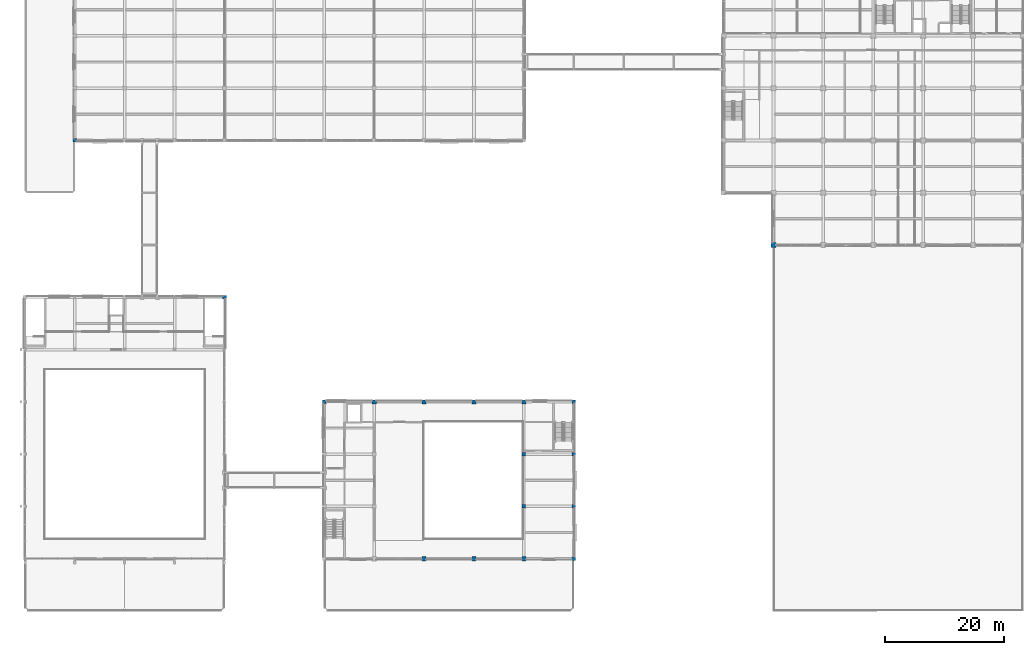
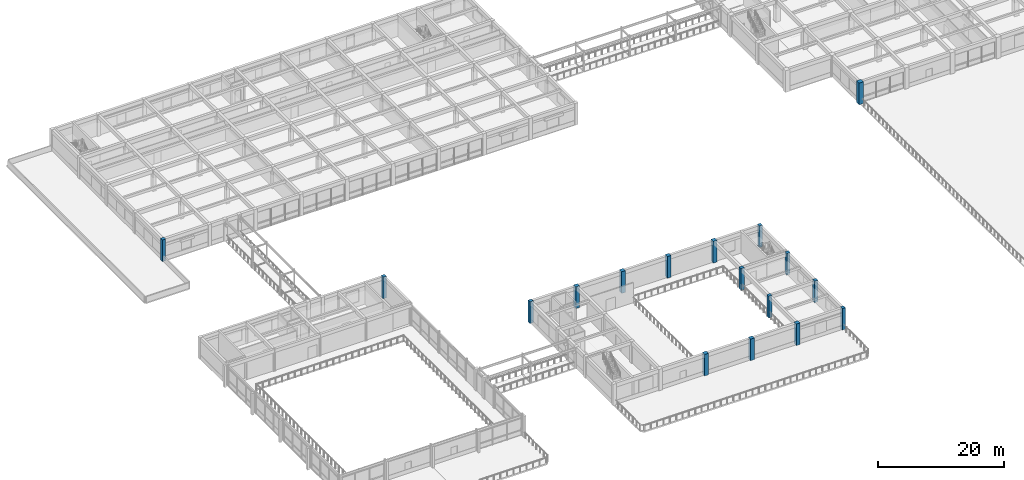
# One storey, part 5 of 57: 17 columns.
"""IFC4 building model written with IfcOpenShell, lengths in metres."""

import ifcopenshell
import ifcopenshell.guid

model = None  # the IFC model being written
_history = None  # IfcOwnerHistory: only IFC2X3 demands one
_inside = {}  # id of a spatial element -> (the spatial element, [elements in it])
_under = {}  # id of a project, library or spatial element -> (it, [spatial elements below it])
_declared = {}  # id of a project -> (the project, [libraries it declares])
_typed = {}  # id of a type object -> (the type object, [elements of that type])
_made_of = {}  # id of a material, layer set ... -> (it, [elements and type objects made of it])


def new_model(schema):
    """Start an empty IFC model of exactly this schema.

    Asked for "IFC4X3", IfcOpenShell would pick the latest addendum, in which some entities
    have other attributes; the version numbers below select the first issue.
    IFC2X3 requires an IfcOwnerHistory on every rooted entity: one is made here for all.
    """
    global model, _history
    if schema == "IFC4X3":
        model = ifcopenshell.file(schema_version=(4, 3, 0, 0))
    else:
        model = ifcopenshell.file(schema=schema)
    _inside.clear()
    _under.clear()
    _declared.clear()
    _typed.clear()
    _made_of.clear()
    _history = None
    if model.schema == "IFC2X3":
        org = make("IfcOrganization", Name="unknown")
        user = make(
            "IfcPersonAndOrganization",
            ThePerson=make("IfcPerson", FamilyName="unknown"),
            TheOrganization=org,
        )
        app = make(
            "IfcApplication",
            ApplicationDeveloper=org,
            Version="unknown",
            ApplicationFullName="unknown",
            ApplicationIdentifier="unknown",
        )
        _history = make(
            "IfcOwnerHistory",
            OwningUser=user,
            OwningApplication=app,
            ChangeAction="ADDED",
            CreationDate=0,
        )
    return model


def make(cls, **values):
    """One entity of the class cls with the attributes given. An attribute that is None is left unset."""
    return model.create_entity(
        cls, **{name: value for name, value in values.items() if value is not None}
    )


def rooted(cls, **values):
    """An entity with a GlobalId (a new one), such as an element, a storey or a relation."""
    return make(cls, GlobalId=ifcopenshell.guid.new(), OwnerHistory=_history, **values)


def si_unit(unit_type, name, prefix=None):
    """IfcSIUnit, for example si_unit("LENGTHUNIT", "METRE", prefix="MILLI")."""
    return make("IfcSIUnit", UnitType=unit_type, Prefix=prefix, Name=name)


def assignment(units):
    """IfcUnitAssignment: the units of a project."""
    return None if units is None else make("IfcUnitAssignment", Units=units)


def point(xyz):
    """IfcCartesianPoint."""
    return None if xyz is None else make("IfcCartesianPoint", Coordinates=xyz)


def direction(xyz):
    """IfcDirection."""
    return None if xyz is None else make("IfcDirection", DirectionRatios=xyz)


def frame(location, z_axis=None, x_axis=None):
    """IfcAxis2Placement3D, a coordinate frame: its origin and axes. An axis left out is left unset."""
    return make(
        "IfcAxis2Placement3D",
        Location=point(location),
        Axis=direction(z_axis),
        RefDirection=direction(x_axis),
    )


def frame_2d(location, x_axis=None):
    """IfcAxis2Placement2D, a coordinate frame in the plane: its origin and x axis."""
    return make(
        "IfcAxis2Placement2D", Location=point(location), RefDirection=direction(x_axis)
    )


def origin():
    """The frame at (0, 0, 0) with its axes left unset."""
    return frame((0.0, 0.0, 0.0))


def origin_2d():
    """The frame at (0, 0) in the plane with its x axis left unset."""
    return frame_2d((0.0, 0.0))


def place(relative_to, where):
    """IfcLocalPlacement: puts the frame where relative to a parent placement (None: the world)."""
    return make(
        "IfcLocalPlacement", PlacementRelTo=relative_to, RelativePlacement=where
    )


def context(
    kind, dimensions, precision=None, world=None, true_north=None, identifier=None
):
    """IfcGeometricRepresentationContext, for example the 3D "Model" context."""
    return make(
        "IfcGeometricRepresentationContext",
        ContextIdentifier=identifier,
        ContextType=kind,
        CoordinateSpaceDimension=dimensions,
        Precision=precision,
        WorldCoordinateSystem=world,
        TrueNorth=true_north,
    )


def subcontext(parent, identifier, kind, view, scale=None):
    """IfcGeometricRepresentationSubContext, for example "Body" below "Model"."""
    return make(
        "IfcGeometricRepresentationSubContext",
        ContextIdentifier=identifier,
        ContextType=kind,
        ParentContext=parent,
        TargetScale=scale,
        TargetView=view,
    )


def project(units=None, contexts=None):
    """IfcProject with its units and contexts."""
    return rooted(
        "IfcProject",
        Name="project",
        RepresentationContexts=contexts,
        UnitsInContext=assignment(units),
    )


def spatial(cls, under=None, at=None, **own):
    """A site, building, storey or space (cls), placed at a placement, below another one or the project."""
    s = rooted(cls, ObjectPlacement=at, **own)
    if under is not None:
        _under.setdefault(under.id(), (under, []))[1].append(s)
    return s


def profile(cls, at=None, kind="AREA", **sizes):
    """A parametric profile (cls). Its sizes go by their IFC names, for example OverallWidth=200.0."""
    return make(cls, ProfileType=kind, Position=at, **sizes)


def rectangle(**sizes):
    """IfcRectangleProfileDef."""
    return profile("IfcRectangleProfileDef", **sizes)


def extrude(swept, where, along, depth):
    """IfcExtrudedAreaSolid: the profile swept, set in the frame where, extruded along a direction by depth."""
    return make(
        "IfcExtrudedAreaSolid",
        SweptArea=swept,
        Position=where,
        ExtrudedDirection=direction(along),
        Depth=depth,
    )


def shape(context_of_items, identifier, shape_type, items):
    """IfcShapeRepresentation: the items that make up one representation, for example the "Body"."""
    return make(
        "IfcShapeRepresentation",
        ContextOfItems=context_of_items,
        RepresentationIdentifier=identifier,
        RepresentationType=shape_type,
        Items=items,
    )


def material(Name=None, Category=None):
    """IfcMaterial."""
    return make("IfcMaterial", Name=Name, Category=Category)


def material_profile(
    of_material, cross_section, Name=None, Category=None, Priority=None
):
    """IfcMaterialProfile: a cross section and its material."""
    return make(
        "IfcMaterialProfile",
        Name=Name,
        Material=of_material,
        Profile=cross_section,
        Priority=Priority,
        Category=Category,
    )


def profile_set(profiles, Name=None, composite=None):
    """IfcMaterialProfileSet."""
    return make(
        "IfcMaterialProfileSet",
        Name=Name,
        MaterialProfiles=profiles,
        CompositeProfile=composite,
    )


def made_of(thing, what):
    """Note that an element or type object is made of a material, layer set ...; save() writes the relation."""
    if what is not None:
        _made_of.setdefault(what.id(), (what, []))[1].append(thing)
    return thing


def type_object(cls, material=None, **own):
    """A type object (cls), such as IfcWallType, which elements share."""
    return made_of(rooted(cls, **own), material)


def element(
    cls,
    number,
    at=None,
    inside=None,
    cuts=None,
    type_object=None,
    material=None,
    context=None,
    identifier="Body",
    shape_type=None,
    held_by="IfcProductDefinitionShape",
    body=None,
    shapes=None,
    **own,
):
    """One element of the class cls, such as IfcWall. Its Tag is "e" and its number.

    at: its placement. inside: the storey or other place that contains it. cuts: it is an
    opening in that element (IfcRelVoidsElement). A single representation is given by context,
    identifier, shape_type and body (its items); several are given by shapes. held_by: the class
    of the entity that holds the representations. save() writes the other relations.
    """
    e = rooted(cls, Tag="e%d" % number, ObjectPlacement=at, **own)
    if body is not None:
        shapes = [shape(context, identifier, shape_type, body)]
    if shapes is not None:
        e.Representation = make(held_by, Representations=shapes)
    if inside is not None:
        _inside.setdefault(inside.id(), (inside, []))[1].append(e)
    if cuts is not None:
        rooted(
            "IfcRelVoidsElement", RelatingBuildingElement=cuts, RelatedOpeningElement=e
        )
    if type_object is not None:
        _typed.setdefault(type_object.id(), (type_object, []))[1].append(e)
    return made_of(e, material)


def aggregate(whole, parts):
    """IfcRelAggregates: a whole, such as a stair, and the parts it consists of."""
    return rooted("IfcRelAggregates", RelatingObject=whole, RelatedObjects=parts)


def save(model, path):
    """Write the relations noted so far, then the file.

    IfcRelAggregates (storeys below a building ...), IfcRelContainedInSpatialStructure (elements
    in a storey), IfcRelDefinesByType, IfcRelAssociatesMaterial and IfcRelDeclares: one each for
    every whole, place, type object, material and project.
    """
    for whole, parts in _under.values():
        aggregate(whole, parts)
    for where, things in _inside.values():
        rooted(
            "IfcRelContainedInSpatialStructure",
            RelatedElements=things,
            RelatingStructure=where,
        )
    for kind, things in _typed.values():
        rooted("IfcRelDefinesByType", RelatedObjects=things, RelatingType=kind)
    for what, things in _made_of.values():
        rooted("IfcRelAssociatesMaterial", RelatedObjects=things, RelatingMaterial=what)
    for by, libraries in _declared.values():
        rooted("IfcRelDeclares", RelatingContext=by, RelatedDefinitions=libraries)
    model.write(path)


model = new_model("IFC4")

# Units and contexts
model_context = context("Model", 3, precision=1e-05, world=origin(), true_north=direction((0.0, 1.0)))
body_context = subcontext(model_context, "Body", "Model", "MODEL_VIEW")
ifc_project = project(units=[si_unit("LENGTHUNIT", "METRE"), si_unit("AREAUNIT", "SQUARE_METRE"), si_unit("VOLUMEUNIT", "CUBIC_METRE"), si_unit("PLANEANGLEUNIT", "RADIAN"), si_unit("MASSUNIT", "GRAM", prefix="KILO")], contexts=[model_context])

# Site, building, storey
site_placement = place(None, origin())
site = spatial("IfcSite", under=ifc_project, at=site_placement, CompositionType="ELEMENT")
building_placement = place(site_placement, origin())
building = spatial("IfcBuilding", under=site, at=building_placement, Name="Kemercrest Conservatory and Botanical Centre", CompositionType="ELEMENT")
storey_placement = place(building_placement, frame((0.0, 0.0, 4.800048828125)))
storey = spatial("IfcBuildingStorey", under=building, at=storey_placement, Name="L01", CompositionType="ELEMENT", Elevation=4.800048828125)

# Columns
ifc_material_1 = material(Name="Concrete C40/50", Category="concrete")
ifc_material_profile_1 = material_profile(ifc_material_1, rectangle(XDim=0.60009765625, YDim=0.60009765625, at=origin_2d()), Name="RC 600x600")
ifc_profile_set_1 = profile_set([ifc_material_profile_1], Name="Concrete C40/50")
column_type_1 = type_object("IfcColumnType", Name="C-RC60", PredefinedType="COLUMN", material=ifc_profile_set_1)
for number, where, z_axis, x_axis, name in (
    (1, (41.60009765625, 60.800048828125, 0.0), (0.0, 0.0, 1.0), (1.0, 0.0, 0.0), "Conservatory north bar column 05/G"),
    (2, (58.39990234375, 43.199951171875, 0.0), (0.0, 0.0, 1.0), (1.0, 0.0, 0.0), "Auditorium column 07/E"),
    (3, (92.0, 25.60009765625, 0.0), (0.0, 0.0, 1.0), (1.0, 0.0, 0.0), "Auditorium column 11/C"),
    (4, (92.0, 34.39990234375, 0.0), (0.0, 0.0, 1.0), (1.0, 0.0, 0.0), "Auditorium column 11/D"),
    (5, (100.39990234375, 16.800048828125, 0.0), (0.0, 0.0, 1.0), (1.0, 0.0, 0.0), "Auditorium column 12/B"),
    (6, (100.39990234375, 25.60009765625, 0.0), (0.0, 0.0, 1.0), (1.0, 0.0, 0.0), "Auditorium column 12/C"),
    (7, (100.39990234375, 34.39990234375, 0.0), (0.0, 0.0, 1.0), (1.0, 0.0, 0.0), "Auditorium column 12/D"),
    (8, (100.39990234375, 43.199951171875, 0.0), (0.0, 0.0, 1.0), (1.0, 0.0, 0.0), "Auditorium column 12/E"),
    (9, (16.39990234375, 87.199951171875, 0.0), (0.0, 0.0, 1.0), (1.0, 0.0, 0.0), "Visitor Wing column 02/K"),
):
    element("IfcColumn", number, at=place(storey_placement, frame(where, z_axis=z_axis, x_axis=x_axis)), inside=storey, type_object=column_type_1, Name=name, PredefinedType="COLUMN", context=body_context, shape_type="SweptSolid", body=[
        extrude(rectangle(XDim=0.60009765625, YDim=0.60009765625, at=origin_2d()), origin(), (0.0, 0.0, 1.0), 4.199951171875),
    ])
ifc_material_2 = material(Name="Concrete C50/60", Category="concrete")
ifc_material_profile_2 = material_profile(ifc_material_2, rectangle(XDim=0.699951171875, YDim=0.699951171875, at=origin_2d()), Name="RC 700x700")
ifc_profile_set_2 = profile_set([ifc_material_profile_2], Name="Concrete C50/60")
column_type_2 = type_object("IfcColumnType", Name="C-RC70", PredefinedType="COLUMN", material=ifc_profile_set_2)
for number, where, z_axis, x_axis, name in (
    (10, (66.800048828125, 43.199951171875, 0.0), (0.0, 0.0, 1.0), (1.0, 0.0, 0.0), "Auditorium column 08/E"),
    (11, (75.199951171875, 16.800048828125, 0.0), (0.0, 0.0, 1.0), (1.0, 0.0, 0.0), "Auditorium column 09/B"),
    (12, (75.199951171875, 43.199951171875, 0.0), (0.0, 0.0, 1.0), (1.0, 0.0, 0.0), "Auditorium column 09/E"),
    (13, (83.60009765625, 16.800048828125, 0.0), (0.0, 0.0, 1.0), (1.0, 0.0, 0.0), "Auditorium column 10/B"),
    (14, (83.60009765625, 43.199951171875, 0.0), (0.0, 0.0, 1.0), (1.0, 0.0, 0.0), "Auditorium column 10/E"),
    (15, (92.0, 16.800048828125, 0.0), (0.0, 0.0, 1.0), (1.0, 0.0, 0.0), "Auditorium column 11/B"),
    (16, (92.0, 43.199951171875, 0.0), (0.0, 0.0, 1.0), (1.0, 0.0, 0.0), "Auditorium column 11/E"),
):
    element("IfcColumn", number, at=place(storey_placement, frame(where, z_axis=z_axis, x_axis=x_axis)), inside=storey, type_object=column_type_2, Name=name, PredefinedType="COLUMN", context=body_context, shape_type="SweptSolid", body=[
        extrude(rectangle(XDim=0.699951171875, YDim=0.699951171875, at=origin_2d()), origin(), (0.0, 0.0, 1.0), 4.199951171875),
    ])
ifc_material_profile_3 = material_profile(ifc_material_2, rectangle(XDim=0.800048828125, YDim=0.800048828125, at=origin_2d()), Name="RC 800x800")
ifc_profile_set_3 = profile_set([ifc_material_profile_3], Name="Concrete C50/60")
column_type_3 = type_object("IfcColumnType", Name="C-RC80", PredefinedType="COLUMN", material=ifc_profile_set_3)
column_placement = place(storey_placement, frame((134.0, 69.60009765625, 0.0), z_axis=(0.0, 0.0, 1.0), x_axis=(1.0, 0.0, 0.0)))
element("IfcColumn", 17, at=column_placement, inside=storey, type_object=column_type_3, Name="Tower column C-RC80 16/H", PredefinedType="COLUMN", context=body_context, shape_type="SweptSolid", body=[
    extrude(rectangle(XDim=0.800048828125, YDim=0.800048828125, at=origin_2d()), origin(), (0.0, 0.0, 1.0), 4.199951171875),
])

save(model, "model.ifc")
